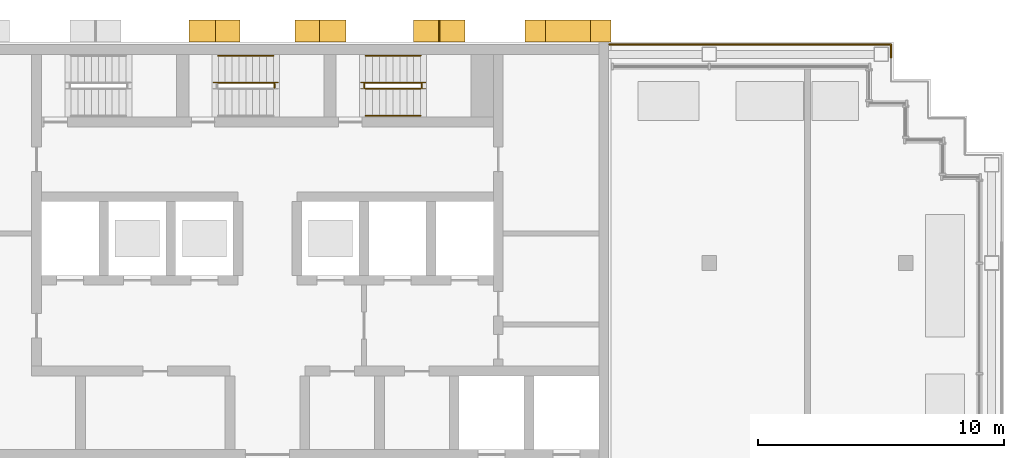
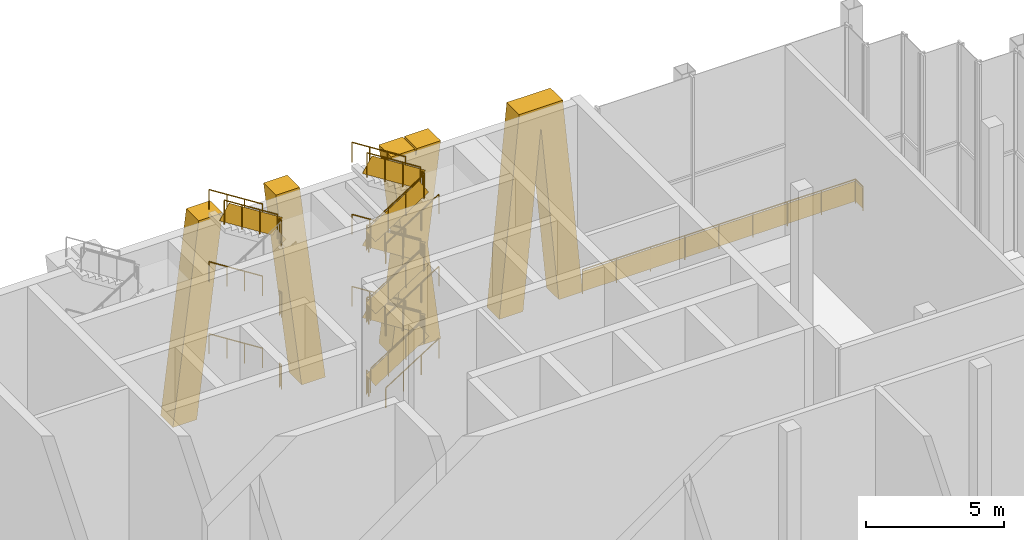
# One storey, part 13 of 15: 26 railings, 4 shading devices.
"""IFC4 building model written with IfcOpenShell, lengths in metres."""

from ifc_helpers import new_model, si_unit, direction, frame, origin, origin_2d, place, context, subcontext, project, spatial, polyline, rectangle, circle, outline, extrude, material, layer, layer_set, type_object, element, save


model = new_model("IFC4")

# Units and contexts
model_context = context("Model", 3, precision=1e-05, world=origin(), true_north=direction((0.0, 1.0)))
body_context = subcontext(model_context, "Body", "Model", "MODEL_VIEW")
ifc_project = project(units=[si_unit("LENGTHUNIT", "METRE"), si_unit("AREAUNIT", "SQUARE_METRE"), si_unit("VOLUMEUNIT", "CUBIC_METRE"), si_unit("PLANEANGLEUNIT", "RADIAN"), si_unit("MASSUNIT", "GRAM", prefix="KILO")], contexts=[model_context])

# Site, building, storey
site_placement = place(None, origin())
site = spatial("IfcSite", under=ifc_project, at=site_placement, CompositionType="ELEMENT")
building_placement = place(site_placement, origin())
building = spatial("IfcBuilding", under=site, at=building_placement, Name="Vidyagriha Tower", CompositionType="ELEMENT")
storey_placement = place(building_placement, frame((0.0, 0.0, 239.60009765625)))
storey = spatial("IfcBuildingStorey", under=building, at=storey_placement, Name="L63", CompositionType="ELEMENT", Elevation=239.60009765625)

# Shading devices
ifc_material_1 = material(Name="Precast concrete C40/50 with brick facing", Category="concrete")
ifc_layer_1 = layer(ifc_material_1, 1.0)
ifc_layer_set_1 = layer_set([ifc_layer_1], Name="Precast concrete C40/50 with brick facing")
shading_device_type_1 = type_object("IfcShadingDeviceType", Name="Brick-faced rear rib arm leaning 8 degrees", PredefinedType="USERDEFINED", material=ifc_layer_set_1)
shading_device_1_placement = place(storey_placement, frame((3.199951171875, 20.449951171875, 0.0), z_axis=(0.0, 0.0, 1.0), x_axis=(-1.0, 0.0, 0.0)))
element("IfcShadingDevice", 1, at=shading_device_1_placement, inside=storey, type_object=shading_device_type_1, Name="Rear rib arm L63 R08.3a", ObjectType="BLADE FIN", PredefinedType="USERDEFINED", context=body_context, shape_type="SweptSolid", body=[
    extrude(outline(polyline([(0.0, 0.0), (1.0, 0.0), (2.080078125, 8.7998046875), (1.080078125, 8.7998046875), (0.0, 0.0)])), frame((0.0, 0.449951171875, 0.0), z_axis=(0.0, -1.0, 0.0), x_axis=(1.0, 0.0, 0.0)), (0.0, 0.0, 1.0), 0.89990234375),
])
shading_device_2_placement = place(storey_placement, frame((-1.1201171875, 20.449951171875, 0.0), z_axis=(0.0, 0.0, 1.0), x_axis=(-1.0, 0.0, 0.0)))
element("IfcShadingDevice", 2, at=shading_device_2_placement, inside=storey, type_object=shading_device_type_1, Name="Rear rib arm L63 R08.3b", ObjectType="BLADE FIN", PredefinedType="USERDEFINED", context=body_context, shape_type="SweptSolid", body=[
    extrude(outline(polyline([(1.080078125, 0.0), (2.080078125, 0.0), (1.0, 8.7998046875), (0.0, 8.7998046875), (1.080078125, 0.0)])), frame((0.0, 0.449951171875, 0.0), z_axis=(0.0, -1.0, 0.0), x_axis=(1.0, 0.0, 0.0)), (0.0, 0.0, 1.0), 0.89990234375),
])
ifc_material_2 = material(Name="Precast concrete C40/50 with brick facing", Category="concrete")
ifc_layer_2 = layer(ifc_material_2, 1.0)
ifc_layer_set_2 = layer_set([ifc_layer_2], Name="Precast concrete C40/50 with brick facing")
shading_device_type_2 = type_object("IfcShadingDeviceType", Name="Brick-faced rear rib forking 8 degrees", PredefinedType="USERDEFINED", material=ifc_layer_set_2)
shading_device_3_placement = place(storey_placement, frame((14.0, 20.449951171875, 0.0), z_axis=(0.0, 0.0, 1.0), x_axis=(-1.0, 0.0, 0.0)))
element("IfcShadingDevice", 3, at=shading_device_3_placement, inside=storey, type_object=shading_device_type_2, Name="Rear rib fork L63 R08.1a", ObjectType="BLADE FIN", PredefinedType="USERDEFINED", context=body_context, shape_type="SweptSolid", body=[
    extrude(outline(polyline([(1.0, 0.0), (1.75, 7.919921875), (2.5, 0.0), (3.5, 0.0), (2.666748046875, 8.7998046875), (0.833251953125, 8.7998046875), (0.0, 0.0), (1.0, 0.0)])), frame((0.0, 0.449951171875, 0.0), z_axis=(0.0, -1.0, 0.0), x_axis=(1.0, 0.0, 0.0)), (0.0, 0.0, 1.0), 0.89990234375),
])
shading_device_4_placement = place(storey_placement, frame((8.0400390625, 20.449951171875, 0.0), z_axis=(0.0, 0.0, 1.0), x_axis=(-1.0, 0.0, 0.0)))
element("IfcShadingDevice", 4, at=shading_device_4_placement, inside=storey, type_object=shading_device_type_2, Name="Rear rib fork L63 R08.2a", ObjectType="BLADE FIN", PredefinedType="USERDEFINED", context=body_context, shape_type="SweptSolid", body=[
    extrude(outline(polyline([(1.0, 0.0), (1.0400390625, 0.32568359375), (1.080078125, 0.0), (2.080078125, 0.0), (1.5400390625, 4.39990234375), (2.080078125, 8.7998046875), (1.080078125, 8.7998046875), (1.0400390625, 8.47412109375), (1.0, 8.7998046875), (0.0, 8.7998046875), (0.5400390625, 4.39990234375), (0.0, 0.0), (1.0, 0.0)])), frame((0.0, 0.449951171875, 0.0), z_axis=(0.0, -1.0, 0.0), x_axis=(1.0, 0.0, 0.0)), (0.0, 0.0, 1.0), 0.89990234375),
])

# Railings
ifc_material_3 = material(Name="Steel ASTM A500 Grade C black painted", Category="steel")
railing_type_1 = type_object("IfcRailingType", Name="Gallery guard 1100", PredefinedType="GUARDRAIL", material=ifc_material_3)
railing_1_placement = place(storey_placement, frame((13.929931640625, 19.89990234375, 0.0)))
element("IfcRailing", 5, at=railing_1_placement, inside=storey, type_object=railing_type_1, Name="Gallery guard L63 1", PredefinedType="GUARDRAIL", context=body_context, shape_type="SweptSolid", body=[
    extrude(circle(Radius=0.02490234375, at=origin_2d()), frame((0.0, 0.0, 1.0751953125), z_axis=(1.0, 0.0, 0.0), x_axis=(0.0, 1.0, 0.0)), (0.0, 0.0, 1.0), 11.469970703125),
    extrude(circle(Radius=0.02490234375, at=origin_2d()), frame((11.469970703125, 0.0, 1.0751953125), z_axis=(0.0, -1.0, 0.0), x_axis=(1.0, 0.0, 0.0)), (0.0, 0.0, 1.0), 0.52978515625),
    extrude(circle(Radius=0.02001953125, at=origin_2d()), origin(), (0.0, 0.0, 1.0), 1.050048828125),
    extrude(circle(Radius=0.02001953125, at=origin_2d()), frame((1.433837890625, 0.0, 0.0)), (0.0, 0.0, 1.0), 1.050048828125),
    extrude(circle(Radius=0.02001953125, at=origin_2d()), frame((2.867431640625, 0.0, 0.0)), (0.0, 0.0, 1.0), 1.050048828125),
    extrude(circle(Radius=0.02001953125, at=origin_2d()), frame((4.30126953125, 0.0, 0.0)), (0.0, 0.0, 1.0), 1.050048828125),
    extrude(circle(Radius=0.02001953125, at=origin_2d()), frame((5.73486328125, 0.0, 0.0)), (0.0, 0.0, 1.0), 1.050048828125),
    extrude(circle(Radius=0.02001953125, at=origin_2d()), frame((7.168701171875, 0.0, 0.0)), (0.0, 0.0, 1.0), 1.050048828125),
    extrude(circle(Radius=0.02001953125, at=origin_2d()), frame((8.6025390625, 0.0, 0.0)), (0.0, 0.0, 1.0), 1.050048828125),
    extrude(circle(Radius=0.02001953125, at=origin_2d()), frame((10.0361328125, 0.0, 0.0)), (0.0, 0.0, 1.0), 1.050048828125),
    extrude(circle(Radius=0.02001953125, at=origin_2d()), frame((11.469970703125, 0.0, 0.0)), (0.0, 0.0, 1.0), 1.050048828125),
    extrude(circle(Radius=0.02001953125, at=origin_2d()), frame((11.469970703125, -0.52978515625, 0.0)), (0.0, 0.0, 1.0), 1.050048828125),
    extrude(rectangle(XDim=0.010009765625, YDim=0.900146484375, at=origin_2d()), frame((0.0, 0.0, 0.550048828125), z_axis=(1.0, 0.0, 0.0), x_axis=(0.0, 1.0, 0.0)), (0.0, 0.0, 1.0), 11.469970703125),
    extrude(rectangle(XDim=0.010009765625, YDim=0.900146484375, at=origin_2d()), frame((11.469970703125, 0.0, 0.550048828125), z_axis=(0.0, -1.0, 0.0), x_axis=(1.0, 0.0, 0.0)), (0.0, 0.0, 1.0), 0.52978515625),
])
ifc_material_4 = material(Name="Steel ASTM A500 Grade C", Category="steel")
railing_type_2 = type_object("IfcRailingType", Name="Stair guard 1100 mm, steel balustrade", PredefinedType="GUARDRAIL", material=ifc_material_4)
for number, where, name in (
    (6, (0.2900390625, 18.14990234375, 1.599853515625), "L63 ST2 stair guard 2"),
    (7, (0.2900390625, 18.14990234375, 4.7998046875), "L63 ST2 stair guard 6"),
    (8, (0.2900390625, 18.14990234375, 8.0), "L63 ST2 stair guard 10"),
):
    element("IfcRailing", number, at=place(storey_placement, frame(where)), inside=storey, type_object=railing_type_2, Name=name, PredefinedType="GUARDRAIL", context=body_context, shape_type="SweptSolid", body=[
        extrude(circle(Radius=0.02392578125, at=origin_2d()), frame((0.0, 0.0, 1.076171875), z_axis=(0.0, 1.0, 0.0), x_axis=(-1.0, 0.0, 0.0)), (0.0, 0.0, 1.0), 0.150146484375),
        extrude(circle(Radius=0.02099609375, at=origin_2d()), origin(), (0.0, 0.0, 1.0), 1.052001953125),
        extrude(circle(Radius=0.02099609375, at=origin_2d()), frame((0.0, 0.150146484375, 0.0)), (0.0, 0.0, 1.0), 1.052001953125),
        extrude(rectangle(XDim=0.010009765625, YDim=0.902099609375, at=origin_2d()), frame((0.0, 0.0, 0.551025390625), z_axis=(0.0, 1.0, 0.0), x_axis=(-1.0, 0.0, 0.0)), (0.0, 0.0, 1.0), 0.150146484375),
    ])
railing_2_placement = place(storey_placement, frame((0.239990234375, 18.35009765625, 8.177734375)))
element("IfcRailing", 9, at=railing_2_placement, inside=storey, type_object=railing_type_2, Name="L63 ST2 stair guard 11", PredefinedType="GUARDRAIL", context=body_context, shape_type="SweptSolid", body=[
    extrude(circle(Radius=0.02392578125, at=origin_2d()), frame((0.0, 0.0, 1.076171875), z_axis=(-0.8442293374, 0.0, 0.53598211339), x_axis=(0.0, -1.0, 0.0)), (0.0, 0.0, 1.0), 2.6533203125),
    extrude(circle(Radius=0.02099609375, at=origin_2d()), origin(), (0.0, 0.0, 1.0), 1.052001953125),
    extrude(circle(Radius=0.02099609375, at=origin_2d()), frame((-0.74658203125, 0.0, 0.47412109375)), (0.0, 0.0, 1.0), 1.052001953125),
    extrude(circle(Radius=0.02099609375, at=origin_2d()), frame((-1.493408203125, 0.0, 0.947998046875)), (0.0, 0.0, 1.0), 1.052001953125),
    extrude(circle(Radius=0.02099609375, at=origin_2d()), frame((-2.239990234375, 0.0, 1.422119140625)), (0.0, 0.0, 1.0), 1.052001953125),
    extrude(rectangle(XDim=0.010009765625, YDim=0.761474609375, at=origin_2d()), frame((0.0, 0.0, 0.551025390625), z_axis=(-0.8442293374, 0.0, 0.53598211339), x_axis=(0.0, -1.0, 0.0)), (0.0, 0.0, 1.0), 2.6533203125),
])
railing_3_placement = place(storey_placement, frame((4.0, 18.10009765625, 0.177734375)))
element("IfcRailing", 10, at=railing_3_placement, inside=storey, type_object=railing_type_2, Name="L63 ST3 stair guard 1", PredefinedType="GUARDRAIL", context=body_context, shape_type="SweptSolid", body=[
    extrude(circle(Radius=0.02392578125, at=origin_2d()), frame((0.0, 0.0, 1.076171875), z_axis=(0.8442293374, 0.0, 0.53598211339), x_axis=(0.0, 1.0, 0.0)), (0.0, 0.0, 1.0), 2.6533203125),
    extrude(circle(Radius=0.02099609375, at=origin_2d()), origin(), (0.0, 0.0, 1.0), 1.052001953125),
    extrude(circle(Radius=0.02099609375, at=origin_2d()), frame((0.74658203125, 0.0, 0.47412109375)), (0.0, 0.0, 1.0), 1.052001953125),
    extrude(circle(Radius=0.02099609375, at=origin_2d()), frame((1.493408203125, 0.0, 0.947998046875)), (0.0, 0.0, 1.0), 1.052001953125),
    extrude(circle(Radius=0.02099609375, at=origin_2d()), frame((2.239990234375, 0.0, 1.422119140625)), (0.0, 0.0, 1.0), 1.052001953125),
    extrude(rectangle(XDim=0.010009765625, YDim=0.761474609375, at=origin_2d()), frame((0.0, 0.0, 0.551025390625), z_axis=(0.8442293374, 0.0, 0.53598211339), x_axis=(0.0, 1.0, 0.0)), (0.0, 0.0, 1.0), 2.6533203125),
])
railing_4_placement = place(storey_placement, frame((6.2900390625, 18.14990234375, 1.599853515625)))
element("IfcRailing", 11, at=railing_4_placement, inside=storey, type_object=railing_type_2, Name="L63 ST3 stair guard 2", PredefinedType="GUARDRAIL", context=body_context, shape_type="SweptSolid", body=[
    extrude(circle(Radius=0.02392578125, at=origin_2d()), frame((0.0, 0.0, 1.076171875), z_axis=(0.0, 1.0, 0.0), x_axis=(-1.0, 0.0, 0.0)), (0.0, 0.0, 1.0), 0.150146484375),
    extrude(circle(Radius=0.02099609375, at=origin_2d()), origin(), (0.0, 0.0, 1.0), 1.052001953125),
    extrude(circle(Radius=0.02099609375, at=origin_2d()), frame((0.0, 0.150146484375, 0.0)), (0.0, 0.0, 1.0), 1.052001953125),
    extrude(rectangle(XDim=0.010009765625, YDim=0.902099609375, at=origin_2d()), frame((0.0, 0.0, 0.551025390625), z_axis=(0.0, 1.0, 0.0), x_axis=(-1.0, 0.0, 0.0)), (0.0, 0.0, 1.0), 0.150146484375),
])
railing_5_placement = place(storey_placement, frame((6.239990234375, 18.35009765625, 1.777587890625)))
element("IfcRailing", 12, at=railing_5_placement, inside=storey, type_object=railing_type_2, Name="L63 ST3 stair guard 3", PredefinedType="GUARDRAIL", context=body_context, shape_type="SweptSolid", body=[
    extrude(circle(Radius=0.02392578125, at=origin_2d()), frame((0.0, 0.0, 1.076171875), z_axis=(-0.84418770128, 0.0, 0.536047689118), x_axis=(0.0, -1.0, 0.0)), (0.0, 0.0, 1.0), 2.6533203125),
    extrude(circle(Radius=0.02099609375, at=origin_2d()), origin(), (0.0, 0.0, 1.0), 1.052001953125),
    extrude(circle(Radius=0.02099609375, at=origin_2d()), frame((-0.74658203125, 0.0, 0.47412109375)), (0.0, 0.0, 1.0), 1.052001953125),
    extrude(circle(Radius=0.02099609375, at=origin_2d()), frame((-1.493408203125, 0.0, 0.9482421875)), (0.0, 0.0, 1.0), 1.052001953125),
    extrude(circle(Radius=0.02099609375, at=origin_2d()), frame((-2.239990234375, 0.0, 1.42236328125)), (0.0, 0.0, 1.0), 1.052001953125),
    extrude(rectangle(XDim=0.010009765625, YDim=0.761474609375, at=origin_2d()), frame((0.0, 0.0, 0.551025390625), z_axis=(-0.84418770128, 0.0, 0.536047689118), x_axis=(0.0, -1.0, 0.0)), (0.0, 0.0, 1.0), 2.6533203125),
])
railing_6_placement = place(storey_placement, frame((3.949951171875, 18.14990234375, 3.199951171875)))
element("IfcRailing", 13, at=railing_6_placement, inside=storey, type_object=railing_type_2, Name="L63 ST3 stair guard 4", PredefinedType="GUARDRAIL", context=body_context, shape_type="SweptSolid", body=[
    extrude(circle(Radius=0.02392578125, at=origin_2d()), frame((0.0, 0.0, 1.076171875), z_axis=(0.0, 1.0, 0.0), x_axis=(-1.0, 0.0, 0.0)), (0.0, 0.0, 1.0), 0.150146484375),
    extrude(circle(Radius=0.02099609375, at=origin_2d()), origin(), (0.0, 0.0, 1.0), 1.052001953125),
    extrude(circle(Radius=0.02099609375, at=origin_2d()), frame((0.0, 0.150146484375, 0.0)), (0.0, 0.0, 1.0), 1.052001953125),
    extrude(rectangle(XDim=0.010009765625, YDim=0.902099609375, at=origin_2d()), frame((0.0, 0.0, 0.551025390625), z_axis=(0.0, 1.0, 0.0), x_axis=(-1.0, 0.0, 0.0)), (0.0, 0.0, 1.0), 0.150146484375),
])
railing_7_placement = place(storey_placement, frame((4.0, 18.10009765625, 3.377685546875)))
element("IfcRailing", 14, at=railing_7_placement, inside=storey, type_object=railing_type_2, Name="L63 ST3 stair guard 5", PredefinedType="GUARDRAIL", context=body_context, shape_type="SweptSolid", body=[
    extrude(circle(Radius=0.02392578125, at=origin_2d()), frame((0.0, 0.0, 1.076171875), z_axis=(0.8442293374, 0.0, 0.53598211339), x_axis=(0.0, 1.0, 0.0)), (0.0, 0.0, 1.0), 2.6533203125),
    extrude(circle(Radius=0.02099609375, at=origin_2d()), origin(), (0.0, 0.0, 1.0), 1.052001953125),
    extrude(circle(Radius=0.02099609375, at=origin_2d()), frame((0.74658203125, 0.0, 0.47412109375)), (0.0, 0.0, 1.0), 1.052001953125),
    extrude(circle(Radius=0.02099609375, at=origin_2d()), frame((1.493408203125, 0.0, 0.947998046875)), (0.0, 0.0, 1.0), 1.052001953125),
    extrude(circle(Radius=0.02099609375, at=origin_2d()), frame((2.239990234375, 0.0, 1.422119140625)), (0.0, 0.0, 1.0), 1.052001953125),
    extrude(rectangle(XDim=0.010009765625, YDim=0.761474609375, at=origin_2d()), frame((0.0, 0.0, 0.551025390625), z_axis=(0.8442293374, 0.0, 0.53598211339), x_axis=(0.0, 1.0, 0.0)), (0.0, 0.0, 1.0), 2.6533203125),
])
railing_8_placement = place(storey_placement, frame((6.2900390625, 18.14990234375, 4.7998046875)))
element("IfcRailing", 15, at=railing_8_placement, inside=storey, type_object=railing_type_2, Name="L63 ST3 stair guard 6", PredefinedType="GUARDRAIL", context=body_context, shape_type="SweptSolid", body=[
    extrude(circle(Radius=0.02392578125, at=origin_2d()), frame((0.0, 0.0, 1.076171875), z_axis=(0.0, 1.0, 0.0), x_axis=(-1.0, 0.0, 0.0)), (0.0, 0.0, 1.0), 0.150146484375),
    extrude(circle(Radius=0.02099609375, at=origin_2d()), origin(), (0.0, 0.0, 1.0), 1.052001953125),
    extrude(circle(Radius=0.02099609375, at=origin_2d()), frame((0.0, 0.150146484375, 0.0)), (0.0, 0.0, 1.0), 1.052001953125),
    extrude(rectangle(XDim=0.010009765625, YDim=0.902099609375, at=origin_2d()), frame((0.0, 0.0, 0.551025390625), z_axis=(0.0, 1.0, 0.0), x_axis=(-1.0, 0.0, 0.0)), (0.0, 0.0, 1.0), 0.150146484375),
])
railing_9_placement = place(storey_placement, frame((6.239990234375, 18.35009765625, 4.977783203125)))
element("IfcRailing", 16, at=railing_9_placement, inside=storey, type_object=railing_type_2, Name="L63 ST3 stair guard 7", PredefinedType="GUARDRAIL", context=body_context, shape_type="SweptSolid", body=[
    extrude(circle(Radius=0.02392578125, at=origin_2d()), frame((0.0, 0.0, 1.076171875), z_axis=(-0.8442293374, 0.0, 0.53598211339), x_axis=(0.0, -1.0, 0.0)), (0.0, 0.0, 1.0), 2.6533203125),
    extrude(circle(Radius=0.02099609375, at=origin_2d()), origin(), (0.0, 0.0, 1.0), 1.052001953125),
    extrude(circle(Radius=0.02099609375, at=origin_2d()), frame((-0.74658203125, 0.0, 0.47412109375)), (0.0, 0.0, 1.0), 1.052001953125),
    extrude(circle(Radius=0.02099609375, at=origin_2d()), frame((-1.493408203125, 0.0, 0.947998046875)), (0.0, 0.0, 1.0), 1.052001953125),
    extrude(circle(Radius=0.02099609375, at=origin_2d()), frame((-2.239990234375, 0.0, 1.422119140625)), (0.0, 0.0, 1.0), 1.052001953125),
    extrude(rectangle(XDim=0.010009765625, YDim=0.761474609375, at=origin_2d()), frame((0.0, 0.0, 0.551025390625), z_axis=(-0.8442293374, 0.0, 0.53598211339), x_axis=(0.0, -1.0, 0.0)), (0.0, 0.0, 1.0), 2.6533203125),
])
railing_10_placement = place(storey_placement, frame((3.949951171875, 18.14990234375, 6.39990234375)))
element("IfcRailing", 17, at=railing_10_placement, inside=storey, type_object=railing_type_2, Name="L63 ST3 stair guard 8", PredefinedType="GUARDRAIL", context=body_context, shape_type="SweptSolid", body=[
    extrude(circle(Radius=0.02392578125, at=origin_2d()), frame((0.0, 0.0, 1.076171875), z_axis=(0.0, 1.0, 0.0), x_axis=(-1.0, 0.0, 0.0)), (0.0, 0.0, 1.0), 0.150146484375),
    extrude(circle(Radius=0.02099609375, at=origin_2d()), origin(), (0.0, 0.0, 1.0), 1.052001953125),
    extrude(circle(Radius=0.02099609375, at=origin_2d()), frame((0.0, 0.150146484375, 0.0)), (0.0, 0.0, 1.0), 1.052001953125),
    extrude(rectangle(XDim=0.010009765625, YDim=0.902099609375, at=origin_2d()), frame((0.0, 0.0, 0.551025390625), z_axis=(0.0, 1.0, 0.0), x_axis=(-1.0, 0.0, 0.0)), (0.0, 0.0, 1.0), 0.150146484375),
])
railing_11_placement = place(storey_placement, frame((4.0, 18.10009765625, 6.57763671875)))
element("IfcRailing", 18, at=railing_11_placement, inside=storey, type_object=railing_type_2, Name="L63 ST3 stair guard 9", PredefinedType="GUARDRAIL", context=body_context, shape_type="SweptSolid", body=[
    extrude(circle(Radius=0.02392578125, at=origin_2d()), frame((0.0, 0.0, 1.076171875), z_axis=(0.84418770128, 0.0, 0.536047689118), x_axis=(0.0, 1.0, 0.0)), (0.0, 0.0, 1.0), 2.6533203125),
    extrude(circle(Radius=0.02099609375, at=origin_2d()), origin(), (0.0, 0.0, 1.0), 1.052001953125),
    extrude(circle(Radius=0.02099609375, at=origin_2d()), frame((0.74658203125, 0.0, 0.47412109375)), (0.0, 0.0, 1.0), 1.052001953125),
    extrude(circle(Radius=0.02099609375, at=origin_2d()), frame((1.493408203125, 0.0, 0.9482421875)), (0.0, 0.0, 1.0), 1.052001953125),
    extrude(circle(Radius=0.02099609375, at=origin_2d()), frame((2.239990234375, 0.0, 1.42236328125)), (0.0, 0.0, 1.0), 1.052001953125),
    extrude(rectangle(XDim=0.010009765625, YDim=0.761474609375, at=origin_2d()), frame((0.0, 0.0, 0.551025390625), z_axis=(0.84418770128, 0.0, 0.536047689118), x_axis=(0.0, 1.0, 0.0)), (0.0, 0.0, 1.0), 2.6533203125),
])
railing_12_placement = place(storey_placement, frame((6.2900390625, 18.14990234375, 8.0)))
element("IfcRailing", 19, at=railing_12_placement, inside=storey, type_object=railing_type_2, Name="L63 ST3 stair guard 10", PredefinedType="GUARDRAIL", context=body_context, shape_type="SweptSolid", body=[
    extrude(circle(Radius=0.02392578125, at=origin_2d()), frame((0.0, 0.0, 1.076171875), z_axis=(0.0, 1.0, 0.0), x_axis=(-1.0, 0.0, 0.0)), (0.0, 0.0, 1.0), 0.150146484375),
    extrude(circle(Radius=0.02099609375, at=origin_2d()), origin(), (0.0, 0.0, 1.0), 1.052001953125),
    extrude(circle(Radius=0.02099609375, at=origin_2d()), frame((0.0, 0.150146484375, 0.0)), (0.0, 0.0, 1.0), 1.052001953125),
    extrude(rectangle(XDim=0.010009765625, YDim=0.902099609375, at=origin_2d()), frame((0.0, 0.0, 0.551025390625), z_axis=(0.0, 1.0, 0.0), x_axis=(-1.0, 0.0, 0.0)), (0.0, 0.0, 1.0), 0.150146484375),
])
railing_13_placement = place(storey_placement, frame((6.239990234375, 18.35009765625, 8.177734375)))
element("IfcRailing", 20, at=railing_13_placement, inside=storey, type_object=railing_type_2, Name="L63 ST3 stair guard 11", PredefinedType="GUARDRAIL", context=body_context, shape_type="SweptSolid", body=[
    extrude(circle(Radius=0.02392578125, at=origin_2d()), frame((0.0, 0.0, 1.076171875), z_axis=(-0.8442293374, 0.0, 0.53598211339), x_axis=(0.0, -1.0, 0.0)), (0.0, 0.0, 1.0), 2.6533203125),
    extrude(circle(Radius=0.02099609375, at=origin_2d()), origin(), (0.0, 0.0, 1.0), 1.052001953125),
    extrude(circle(Radius=0.02099609375, at=origin_2d()), frame((-0.74658203125, 0.0, 0.47412109375)), (0.0, 0.0, 1.0), 1.052001953125),
    extrude(circle(Radius=0.02099609375, at=origin_2d()), frame((-1.493408203125, 0.0, 0.947998046875)), (0.0, 0.0, 1.0), 1.052001953125),
    extrude(circle(Radius=0.02099609375, at=origin_2d()), frame((-2.239990234375, 0.0, 1.422119140625)), (0.0, 0.0, 1.0), 1.052001953125),
    extrude(rectangle(XDim=0.010009765625, YDim=0.761474609375, at=origin_2d()), frame((0.0, 0.0, 0.551025390625), z_axis=(-0.8442293374, 0.0, 0.53598211339), x_axis=(0.0, -1.0, 0.0)), (0.0, 0.0, 1.0), 2.6533203125),
])
railing_14_placement = place(storey_placement, frame((3.949951171875, 18.14990234375, 0.0)))
element("IfcRailing", 21, at=railing_14_placement, inside=storey, type_object=railing_type_2, Name="L63 ST3 stair guard 12", PredefinedType="GUARDRAIL", context=body_context, shape_type="SweptSolid", body=[
    extrude(circle(Radius=0.02392578125, at=origin_2d()), frame((0.0, 0.0, 1.076171875), z_axis=(0.0, 1.0, 0.0), x_axis=(-1.0, 0.0, 0.0)), (0.0, 0.0, 1.0), 0.150146484375),
    extrude(circle(Radius=0.02099609375, at=origin_2d()), origin(), (0.0, 0.0, 1.0), 1.052001953125),
    extrude(circle(Radius=0.02099609375, at=origin_2d()), frame((0.0, 0.150146484375, 0.0)), (0.0, 0.0, 1.0), 1.052001953125),
    extrude(rectangle(XDim=0.010009765625, YDim=0.902099609375, at=origin_2d()), frame((0.0, 0.0, 0.551025390625), z_axis=(0.0, 1.0, 0.0), x_axis=(-1.0, 0.0, 0.0)), (0.0, 0.0, 1.0), 0.150146484375),
])
ifc_material_5 = material(Name="Steel ASTM A500 Grade C", Category="steel")
railing_type_3 = type_object("IfcRailingType", Name="Stair handrail 900 mm, steel", PredefinedType="HANDRAIL", material=ifc_material_5)
railing_15_placement = place(storey_placement, frame((0.239990234375, 19.449951171875, 1.777587890625)))
element("IfcRailing", 22, at=railing_15_placement, inside=storey, type_object=railing_type_3, Name="L63 ST2 stair handrail 2", PredefinedType="HANDRAIL", context=body_context, shape_type="SweptSolid", body=[
    extrude(circle(Radius=0.02392578125, at=origin_2d()), frame((0.0, 0.0, 0.8759765625), z_axis=(-0.84418770128, 0.0, 0.536047689118), x_axis=(0.0, -1.0, 0.0)), (0.0, 0.0, 1.0), 2.6533203125),
    extrude(circle(Radius=0.02099609375, at=origin_2d()), origin(), (0.0, 0.0, 1.0), 0.851806640625),
    extrude(circle(Radius=0.02099609375, at=origin_2d()), frame((-0.74658203125, 0.0, 0.47412109375)), (0.0, 0.0, 1.0), 0.851806640625),
    extrude(circle(Radius=0.02099609375, at=origin_2d()), frame((-1.493408203125, 0.0, 0.9482421875)), (0.0, 0.0, 1.0), 0.851806640625),
    extrude(circle(Radius=0.02099609375, at=origin_2d()), frame((-2.239990234375, 0.0, 1.42236328125)), (0.0, 0.0, 1.0), 0.851806640625),
])
for number, where, name in (
    (23, (0.239990234375, 19.449951171875, 4.977783203125), "L63 ST2 stair handrail 4"),
    (24, (0.239990234375, 19.449951171875, 8.177734375), "L63 ST2 stair handrail 6"),
):
    element("IfcRailing", number, at=place(storey_placement, frame(where)), inside=storey, type_object=railing_type_3, Name=name, PredefinedType="HANDRAIL", context=body_context, shape_type="SweptSolid", body=[
        extrude(circle(Radius=0.02392578125, at=origin_2d()), frame((0.0, 0.0, 0.8759765625), z_axis=(-0.8442293374, 0.0, 0.53598211339), x_axis=(0.0, -1.0, 0.0)), (0.0, 0.0, 1.0), 2.6533203125),
        extrude(circle(Radius=0.02099609375, at=origin_2d()), origin(), (0.0, 0.0, 1.0), 0.851806640625),
        extrude(circle(Radius=0.02099609375, at=origin_2d()), frame((-0.74658203125, 0.0, 0.47412109375)), (0.0, 0.0, 1.0), 0.851806640625),
        extrude(circle(Radius=0.02099609375, at=origin_2d()), frame((-1.493408203125, 0.0, 0.947998046875)), (0.0, 0.0, 1.0), 0.851806640625),
        extrude(circle(Radius=0.02099609375, at=origin_2d()), frame((-2.239990234375, 0.0, 1.422119140625)), (0.0, 0.0, 1.0), 0.851806640625),
    ])
railing_16_placement = place(storey_placement, frame((4.0, 17.0, 0.177734375)))
element("IfcRailing", 25, at=railing_16_placement, inside=storey, type_object=railing_type_3, Name="L63 ST3 stair handrail 1", PredefinedType="HANDRAIL", context=body_context, shape_type="SweptSolid", body=[
    extrude(circle(Radius=0.02392578125, at=origin_2d()), frame((0.0, 0.0, 0.8759765625), z_axis=(0.8442293374, 0.0, 0.53598211339), x_axis=(0.0, 1.0, 0.0)), (0.0, 0.0, 1.0), 2.6533203125),
    extrude(circle(Radius=0.02099609375, at=origin_2d()), origin(), (0.0, 0.0, 1.0), 0.851806640625),
    extrude(circle(Radius=0.02099609375, at=origin_2d()), frame((0.74658203125, 0.0, 0.47412109375)), (0.0, 0.0, 1.0), 0.851806640625),
    extrude(circle(Radius=0.02099609375, at=origin_2d()), frame((1.493408203125, 0.0, 0.947998046875)), (0.0, 0.0, 1.0), 0.851806640625),
    extrude(circle(Radius=0.02099609375, at=origin_2d()), frame((2.239990234375, 0.0, 1.422119140625)), (0.0, 0.0, 1.0), 0.851806640625),
])
railing_17_placement = place(storey_placement, frame((6.239990234375, 19.449951171875, 1.777587890625)))
element("IfcRailing", 26, at=railing_17_placement, inside=storey, type_object=railing_type_3, Name="L63 ST3 stair handrail 2", PredefinedType="HANDRAIL", context=body_context, shape_type="SweptSolid", body=[
    extrude(circle(Radius=0.02392578125, at=origin_2d()), frame((0.0, 0.0, 0.8759765625), z_axis=(-0.84418770128, 0.0, 0.536047689118), x_axis=(0.0, -1.0, 0.0)), (0.0, 0.0, 1.0), 2.6533203125),
    extrude(circle(Radius=0.02099609375, at=origin_2d()), origin(), (0.0, 0.0, 1.0), 0.851806640625),
    extrude(circle(Radius=0.02099609375, at=origin_2d()), frame((-0.74658203125, 0.0, 0.47412109375)), (0.0, 0.0, 1.0), 0.851806640625),
    extrude(circle(Radius=0.02099609375, at=origin_2d()), frame((-1.493408203125, 0.0, 0.9482421875)), (0.0, 0.0, 1.0), 0.851806640625),
    extrude(circle(Radius=0.02099609375, at=origin_2d()), frame((-2.239990234375, 0.0, 1.42236328125)), (0.0, 0.0, 1.0), 0.851806640625),
])
railing_18_placement = place(storey_placement, frame((4.0, 17.0, 3.377685546875)))
element("IfcRailing", 27, at=railing_18_placement, inside=storey, type_object=railing_type_3, Name="L63 ST3 stair handrail 3", PredefinedType="HANDRAIL", context=body_context, shape_type="SweptSolid", body=[
    extrude(circle(Radius=0.02392578125, at=origin_2d()), frame((0.0, 0.0, 0.8759765625), z_axis=(0.8442293374, 0.0, 0.53598211339), x_axis=(0.0, 1.0, 0.0)), (0.0, 0.0, 1.0), 2.6533203125),
    extrude(circle(Radius=0.02099609375, at=origin_2d()), origin(), (0.0, 0.0, 1.0), 0.851806640625),
    extrude(circle(Radius=0.02099609375, at=origin_2d()), frame((0.74658203125, 0.0, 0.47412109375)), (0.0, 0.0, 1.0), 0.851806640625),
    extrude(circle(Radius=0.02099609375, at=origin_2d()), frame((1.493408203125, 0.0, 0.947998046875)), (0.0, 0.0, 1.0), 0.851806640625),
    extrude(circle(Radius=0.02099609375, at=origin_2d()), frame((2.239990234375, 0.0, 1.422119140625)), (0.0, 0.0, 1.0), 0.851806640625),
])
railing_19_placement = place(storey_placement, frame((6.239990234375, 19.449951171875, 4.977783203125)))
element("IfcRailing", 28, at=railing_19_placement, inside=storey, type_object=railing_type_3, Name="L63 ST3 stair handrail 4", PredefinedType="HANDRAIL", context=body_context, shape_type="SweptSolid", body=[
    extrude(circle(Radius=0.02392578125, at=origin_2d()), frame((0.0, 0.0, 0.8759765625), z_axis=(-0.8442293374, 0.0, 0.53598211339), x_axis=(0.0, -1.0, 0.0)), (0.0, 0.0, 1.0), 2.6533203125),
    extrude(circle(Radius=0.02099609375, at=origin_2d()), origin(), (0.0, 0.0, 1.0), 0.851806640625),
    extrude(circle(Radius=0.02099609375, at=origin_2d()), frame((-0.74658203125, 0.0, 0.47412109375)), (0.0, 0.0, 1.0), 0.851806640625),
    extrude(circle(Radius=0.02099609375, at=origin_2d()), frame((-1.493408203125, 0.0, 0.947998046875)), (0.0, 0.0, 1.0), 0.851806640625),
    extrude(circle(Radius=0.02099609375, at=origin_2d()), frame((-2.239990234375, 0.0, 1.422119140625)), (0.0, 0.0, 1.0), 0.851806640625),
])
railing_20_placement = place(storey_placement, frame((4.0, 17.0, 6.57763671875)))
element("IfcRailing", 29, at=railing_20_placement, inside=storey, type_object=railing_type_3, Name="L63 ST3 stair handrail 5", PredefinedType="HANDRAIL", context=body_context, shape_type="SweptSolid", body=[
    extrude(circle(Radius=0.02392578125, at=origin_2d()), frame((0.0, 0.0, 0.8759765625), z_axis=(0.84418770128, 0.0, 0.536047689118), x_axis=(0.0, 1.0, 0.0)), (0.0, 0.0, 1.0), 2.6533203125),
    extrude(circle(Radius=0.02099609375, at=origin_2d()), origin(), (0.0, 0.0, 1.0), 0.851806640625),
    extrude(circle(Radius=0.02099609375, at=origin_2d()), frame((0.74658203125, 0.0, 0.47412109375)), (0.0, 0.0, 1.0), 0.851806640625),
    extrude(circle(Radius=0.02099609375, at=origin_2d()), frame((1.493408203125, 0.0, 0.9482421875)), (0.0, 0.0, 1.0), 0.851806640625),
    extrude(circle(Radius=0.02099609375, at=origin_2d()), frame((2.239990234375, 0.0, 1.42236328125)), (0.0, 0.0, 1.0), 0.851806640625),
])
railing_21_placement = place(storey_placement, frame((6.239990234375, 19.449951171875, 8.177734375)))
element("IfcRailing", 30, at=railing_21_placement, inside=storey, type_object=railing_type_3, Name="L63 ST3 stair handrail 6", PredefinedType="HANDRAIL", context=body_context, shape_type="SweptSolid", body=[
    extrude(circle(Radius=0.02392578125, at=origin_2d()), frame((0.0, 0.0, 0.8759765625), z_axis=(-0.8442293374, 0.0, 0.53598211339), x_axis=(0.0, -1.0, 0.0)), (0.0, 0.0, 1.0), 2.6533203125),
    extrude(circle(Radius=0.02099609375, at=origin_2d()), origin(), (0.0, 0.0, 1.0), 0.851806640625),
    extrude(circle(Radius=0.02099609375, at=origin_2d()), frame((-0.74658203125, 0.0, 0.47412109375)), (0.0, 0.0, 1.0), 0.851806640625),
    extrude(circle(Radius=0.02099609375, at=origin_2d()), frame((-1.493408203125, 0.0, 0.947998046875)), (0.0, 0.0, 1.0), 0.851806640625),
    extrude(circle(Radius=0.02099609375, at=origin_2d()), frame((-2.239990234375, 0.0, 1.422119140625)), (0.0, 0.0, 1.0), 0.851806640625),
])

save(model, "model.ifc")
